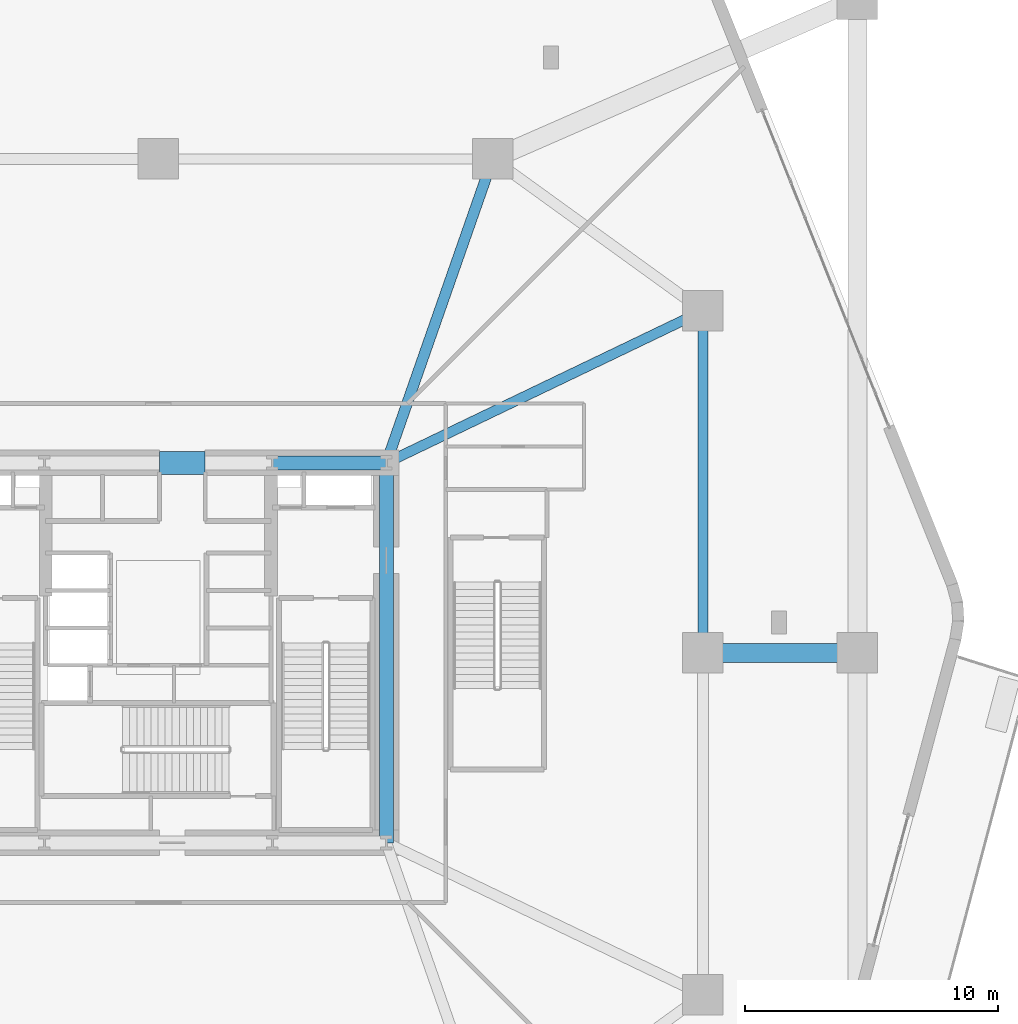
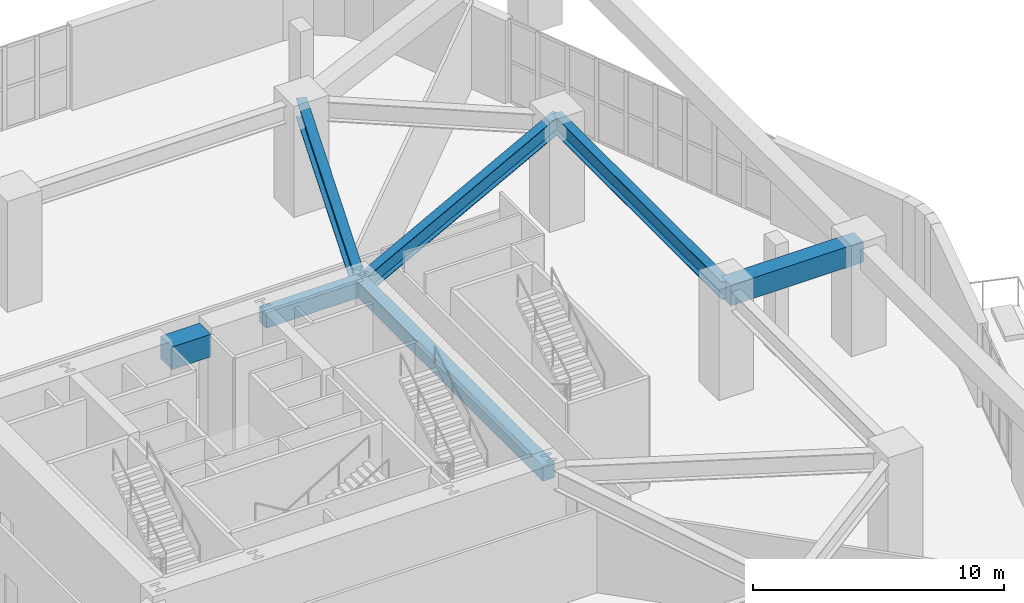
# One storey, part 19 of 34: 7 beams.
"""IFC4 building model written with IfcOpenShell, lengths in metres."""

from ifc_helpers import new_model, si_unit, direction, frame, origin, origin_2d, place, context, subcontext, project, spatial, rectangle, i_section, extrude, material, material_profile, profile_set, type_object, element, save


model = new_model("IFC4")

# Units and contexts
model_context = context("Model", 3, precision=1e-05, world=origin(), true_north=direction((0.0, 1.0)))
body_context = subcontext(model_context, "Body", "Model", "MODEL_VIEW")
ifc_project = project(units=[si_unit("LENGTHUNIT", "METRE"), si_unit("AREAUNIT", "SQUARE_METRE"), si_unit("VOLUMEUNIT", "CUBIC_METRE"), si_unit("PLANEANGLEUNIT", "RADIAN"), si_unit("MASSUNIT", "GRAM", prefix="KILO")], contexts=[model_context])

# Site, building, storey
site_placement = place(None, origin())
site = spatial("IfcSite", under=ifc_project, at=site_placement, CompositionType="ELEMENT")
building_placement = place(site_placement, origin())
building = spatial("IfcBuilding", under=site, at=building_placement, Name="Kilnhurst Terrace Hotel", CompositionType="ELEMENT")
storey_placement = place(building_placement, frame((0.0, 0.0, 6.0)))
storey = spatial("IfcBuildingStorey", under=building, at=storey_placement, Name="L01", CompositionType="ELEMENT", Elevation=6.0)

# Beams
ifc_material_1 = material(Name="Concrete C50/60", Category="concrete")
ifc_material_profile_1 = material_profile(ifc_material_1, rectangle(XDim=0.550048828125, YDim=0.75, at=origin_2d()), Name="RC550X750")
ifc_profile_set_1 = profile_set([ifc_material_profile_1], Name="Concrete C50/60")
beam_type_1 = type_object("IfcBeamType", Name="BM-SPN-550X750", PredefinedType="SPANDREL", material=ifc_profile_set_1)
beam_1_placement = place(storey_placement, frame((4.5, 7.5, 4.705078125), z_axis=(1.0, 0.0, 0.0), x_axis=(0.0, 1.0, 0.0)))
element("IfcBeam", 1, at=beam_1_placement, inside=storey, type_object=beam_type_1, Name="L01 Core Tie Beam CC-NC2 to CC-NE", PredefinedType="SPANDREL", context=body_context, shape_type="SweptSolid", body=[
    extrude(rectangle(XDim=0.550048828125, YDim=0.75, at=origin_2d()), origin(), (0.0, 0.0, 1.0), 4.5),
])
beam_2_placement = place(storey_placement, frame((9.0, -7.5, 4.705078125), z_axis=(0.0, 1.0, 0.0), x_axis=(-1.0, 0.0, 0.0)))
element("IfcBeam", 2, at=beam_2_placement, inside=storey, type_object=beam_type_1, Name="L01 Core Tie Beam CC-SE to CC-NE", PredefinedType="SPANDREL", context=body_context, shape_type="SweptSolid", body=[
    extrude(rectangle(XDim=0.550048828125, YDim=0.75, at=origin_2d()), origin(), (0.0, 0.0, 1.0), 15.0),
])
ifc_material_2 = material(Name="Steel ASTM A992 Grade 50", Category="steel")
ifc_material_profile_2 = material_profile(ifc_material_2, i_section(OverallWidth=0.39990234375, OverallDepth=0.85546875, WebThickness=0.018310546875, FlangeThickness=0.029296875, at=origin_2d()), Name="W33X201")
ifc_profile_set_2 = profile_set([ifc_material_profile_2], Name="Steel ASTM A992 Grade 50")
beam_type_2 = type_object("IfcBeamType", Name="BM-STL-W33X201", PredefinedType="BEAM", material=ifc_profile_set_2)
beam_3_placement = place(storey_placement, frame((21.5, 13.5, 4.652099609375), z_axis=(0.0, -1.0, 0.0), x_axis=(1.0, 0.0, 0.0)))
element("IfcBeam", 3, at=beam_3_placement, inside=storey, type_object=beam_type_2, Name="L01 Podium Frame Beam 7", PredefinedType="BEAM", context=body_context, shape_type="SweptSolid", body=[
    extrude(i_section(OverallWidth=0.39990234375, OverallDepth=0.85546875, WebThickness=0.018310546875, FlangeThickness=0.029296875, at=origin_2d()), origin(), (0.0, 0.0, 1.0), 13.5),
])
beam_4_placement = place(storey_placement, frame((21.5, 13.5, 4.652099609375), z_axis=(-0.901523057468, -0.432731067585, 0.0), x_axis=(0.432731067585, -0.901523057468, 0.0)))
element("IfcBeam", 4, at=beam_4_placement, inside=storey, type_object=beam_type_2, Name="L01 Podium Frame Beam 11", PredefinedType="BEAM", context=body_context, shape_type="SweptSolid", body=[
    extrude(i_section(OverallWidth=0.39990234375, OverallDepth=0.85546875, WebThickness=0.018310546875, FlangeThickness=0.029296875, at=origin_2d()), origin(), (0.0, 0.0, 1.0), 13.865478515625),
])
ifc_material_profile_3 = material_profile(ifc_material_2, i_section(OverallWidth=0.423095703125, OverallDepth=0.9482421875, WebThickness=0.02392578125, FlangeThickness=0.042724609375, at=origin_2d()), Name="W36X302")
ifc_profile_set_3 = profile_set([ifc_material_profile_3], Name="Steel ASTM A992 Grade 50")
beam_type_3 = type_object("IfcBeamType", Name="BM-STL-W36X302", PredefinedType="BEAM", material=ifc_profile_set_3)
beam_5_placement = place(storey_placement, frame((13.199951171875, 19.5, 4.60595703125), z_axis=(-0.330347003279, -0.943859553866, 0.0), x_axis=(0.943859553866, -0.330347003279, 0.0)))
element("IfcBeam", 5, at=beam_5_placement, inside=storey, type_object=beam_type_3, Name="L01 Podium Frame Beam 14", PredefinedType="BEAM", context=body_context, shape_type="SweptSolid", body=[
    extrude(i_section(OverallWidth=0.423095703125, OverallDepth=0.9482421875, WebThickness=0.02392578125, FlangeThickness=0.042724609375, at=origin_2d()), origin(), (0.0, 0.0, 1.0), 12.7138671875),
])
ifc_material_3 = material(Name="Concrete C80/95", Category="concrete")
ifc_material_profile_4 = material_profile(ifc_material_3, rectangle(XDim=0.89990234375, YDim=1.10009765625, at=origin_2d()), Name="RC900X1100")
ifc_profile_set_4 = profile_set([ifc_material_profile_4], Name="Concrete C80/95")
beam_type_4 = type_object("IfcBeamType", Name="LNT-CB-900X1100", PredefinedType="LINTEL", material=ifc_profile_set_4)
beam_6_placement = place(storey_placement, frame((0.050048828125, 7.5, 4.530029296875), z_axis=(1.0, 0.0, 0.0), x_axis=(0.0, 1.0, 0.0)))
element("IfcBeam", 6, at=beam_6_placement, inside=storey, type_object=beam_type_4, Name="L01 North Core Coupling Link Beam", PredefinedType="LINTEL", context=body_context, shape_type="SweptSolid", body=[
    extrude(rectangle(XDim=0.89990234375, YDim=1.10009765625, at=origin_2d()), origin(), (0.0, 0.0, 1.0), 1.800048828125),
])
ifc_material_profile_5 = material_profile(ifc_material_1, rectangle(XDim=0.75, YDim=1.0, at=origin_2d()), Name="RC750X1000")
ifc_profile_set_5 = profile_set([ifc_material_profile_5], Name="Concrete C50/60")
beam_type_5 = type_object("IfcBeamType", Name="TBM-GAR-750X1000", PredefinedType="T_BEAM", material=ifc_profile_set_5)
beam_7_placement = place(storey_placement, frame((27.60009765625, 0.0, 4.580078125), z_axis=(-1.0, 0.0, 0.0), x_axis=(0.0, -1.0, 0.0)))
element("IfcBeam", 7, at=beam_7_placement, inside=storey, type_object=beam_type_5, Name="L01 Outer Ring Tee Beam 8", PredefinedType="T_BEAM", context=body_context, shape_type="SweptSolid", body=[
    extrude(rectangle(XDim=0.75, YDim=1.0, at=origin_2d()), origin(), (0.0, 0.0, 1.0), 6.10009765625),
])

save(model, "model.ifc")
